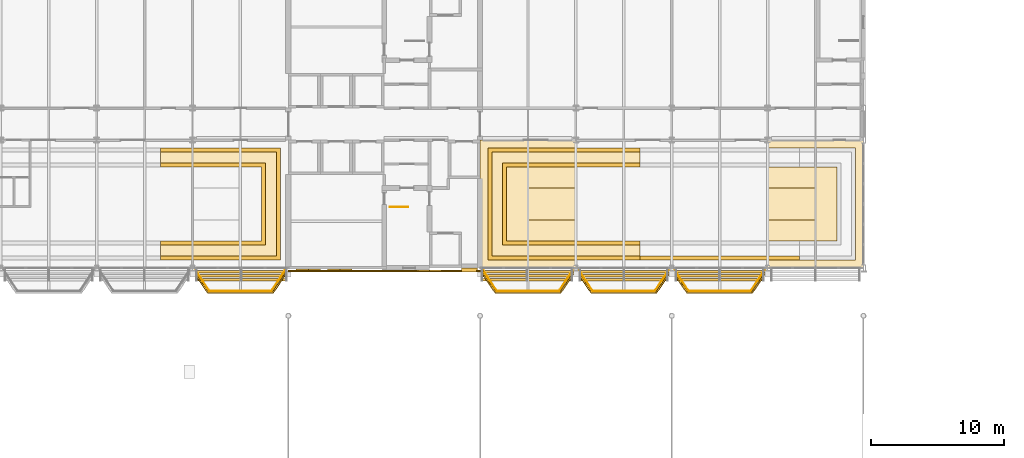
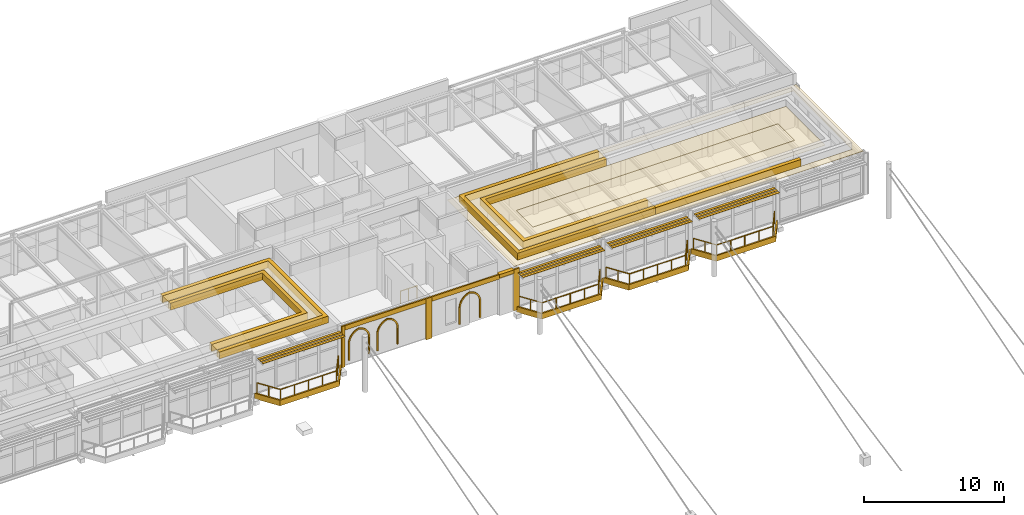
# One storey, part 63 of 68: 23 coverings, 12 shading devices, 5 railings.
"""IFC4 building model written with IfcOpenShell, lengths in metres."""

from ifc_helpers import new_model, si_unit, direction, frame, origin, origin_2d, place, context, subcontext, project, spatial, polyline, rectangle, circle, outline, extrude, material, layer, layer_set, type_object, element, save


model = new_model("IFC4")

# Units and contexts
model_context = context("Model", 3, precision=1e-05, world=origin(), true_north=direction((0.0, 1.0)))
body_context = subcontext(model_context, "Body", "Model", "MODEL_VIEW")
ifc_project = project(units=[si_unit("LENGTHUNIT", "METRE"), si_unit("AREAUNIT", "SQUARE_METRE"), si_unit("VOLUMEUNIT", "CUBIC_METRE"), si_unit("PLANEANGLEUNIT", "RADIAN"), si_unit("MASSUNIT", "GRAM", prefix="KILO")], contexts=[model_context])

# Site, building, storey
site_placement = place(None, origin())
site = spatial("IfcSite", under=ifc_project, at=site_placement, CompositionType="ELEMENT")
building_placement = place(site_placement, origin())
building = spatial("IfcBuilding", under=site, at=building_placement, Name="Kupolbacken Congress Centre", CompositionType="ELEMENT")
storey_placement = place(building_placement, frame((0.0, 0.0, 25.199951171875)))
storey = spatial("IfcBuildingStorey", under=building, at=storey_placement, Name="L07", CompositionType="ELEMENT", Elevation=25.199951171875)

# Coverings
ifc_material_1 = material(Name="Limestone cladding", Category="masonry")
ifc_layer_1 = layer(ifc_material_1, 0.1201171875)
ifc_layer_set_1 = layer_set([ifc_layer_1], Name="Limestone cladding")
covering_type_1 = type_object("IfcCoveringType", Name="CV1 limestone cladding band 120", PredefinedType="CLADDING", material=ifc_layer_set_1)
covering_1_placement = place(storey_placement, frame((0.0, 0.0, -0.199951171875)))
element("IfcCovering", 1, at=covering_1_placement, inside=storey, type_object=covering_type_1, Name="E/T/belt/L07/S/108", PredefinedType="CLADDING", context=body_context, shape_type="SweptSolid", body=[
    extrude(outline(polyline([(115.177490234375, 122.14990234375), (115.033203125, 122.14990234375), (114.0, 120.60009765625), (109.199951171875, 120.60009765625), (108.166748046875, 122.14990234375), (108.0224609375, 122.14990234375), (109.1357421875, 120.47998046875), (114.064208984375, 120.47998046875), (115.177490234375, 122.14990234375)])), origin(), (0.0, 0.0, 1.0), 0.47998046875),
])
covering_2_placement = place(storey_placement, frame((0.0, 0.0, -0.199951171875)))
element("IfcCovering", 2, at=covering_2_placement, inside=storey, type_object=covering_type_1, Name="E/T/belt/L07/S/115.2", PredefinedType="CLADDING", context=body_context, shape_type="SweptSolid", body=[
    extrude(outline(polyline([(122.377685546875, 122.14990234375), (122.2333984375, 122.14990234375), (121.199951171875, 120.60009765625), (116.39990234375, 120.60009765625), (115.36669921875, 122.14990234375), (115.222412109375, 122.14990234375), (116.335693359375, 120.47998046875), (121.26416015625, 120.47998046875), (122.377685546875, 122.14990234375)])), origin(), (0.0, 0.0, 1.0), 0.47998046875),
])
covering_3_placement = place(storey_placement, frame((0.0, 0.0, -0.199951171875)))
element("IfcCovering", 3, at=covering_3_placement, inside=storey, type_object=covering_type_1, Name="E/T/belt/L07/S/122.4", PredefinedType="CLADDING", context=body_context, shape_type="SweptSolid", body=[
    extrude(outline(polyline([(129.57763671875, 122.14990234375), (129.433349609375, 122.14990234375), (128.39990234375, 120.60009765625), (123.60009765625, 120.60009765625), (122.566650390625, 122.14990234375), (122.42236328125, 122.14990234375), (123.535888671875, 120.47998046875), (128.464111328125, 120.47998046875), (129.57763671875, 122.14990234375)])), origin(), (0.0, 0.0, 1.0), 0.47998046875),
])
covering_4_placement = place(storey_placement, frame((0.0, 0.0, -0.199951171875)))
element("IfcCovering", 4, at=covering_4_placement, inside=storey, type_object=covering_type_1, Name="E/T/belt/L07/S/86.4", PredefinedType="CLADDING", context=body_context, shape_type="SweptSolid", body=[
    extrude(outline(polyline([(93.57763671875, 122.14990234375), (93.433349609375, 122.14990234375), (92.39990234375, 120.60009765625), (87.60009765625, 120.60009765625), (86.566650390625, 122.14990234375), (86.42236328125, 122.14990234375), (87.535888671875, 120.47998046875), (92.464111328125, 120.47998046875), (93.57763671875, 122.14990234375)])), origin(), (0.0, 0.0, 1.0), 0.47998046875),
])
covering_5_placement = place(storey_placement, frame((107.199951171875, 122.2451171875, 3.2900390625), z_axis=(0.0, 0.0, 1.0), x_axis=(1.0, 0.0, 0.0)))
element("IfcCovering", 5, at=covering_5_placement, inside=storey, type_object=covering_type_1, Name="E/T/S/L07/116/band", PredefinedType="CLADDING", context=body_context, shape_type="SweptSolid", body=[
    extrude(rectangle(XDim=1.199951171875, YDim=0.31005859375, at=origin_2d()), origin(), (0.0, 0.0, 1.0), 0.31005859375),
])
ifc_material_2 = material(Name="Brick cladding", Category="masonry")
ifc_layer_2 = layer(ifc_material_2, 0.10791015625)
ifc_layer_set_2 = layer_set([ifc_layer_2], Name="Brick cladding")
covering_type_2 = type_object("IfcCoveringType", Name="CV2 brick cladding band 108", PredefinedType="CLADDING", material=ifc_layer_set_2)
covering_6_placement = place(storey_placement, frame((93.72509765625, 122.1650390625, 0.0), z_axis=(0.0, 0.0, 1.0), x_axis=(1.0, 0.0, 0.0)))
element("IfcCovering", 6, at=covering_6_placement, inside=storey, type_object=covering_type_2, Name="E/T/stripe/S/L07/pil93.6", PredefinedType="CLADDING", context=body_context, shape_type="SweptSolid", body=[
    extrude(rectangle(XDim=0.25, YDim=0.1201171875, at=origin_2d()), origin(), (0.0, 0.0, 1.0), 3.60009765625),
])
for number, where, z_axis, x_axis, name in (
    (7, (100.800048828125, 122.1650390625, 0.0), (0.0, 0.0, 1.0), (1.0, 0.0, 0.0), "E/T/stripe/S/L07/pil100.8"),
    (8, (108.0, 122.1650390625, 0.0), (0.0, 0.0, 1.0), (1.0, 0.0, 0.0), "E/T/stripe/S/L07/pil108"),
):
    element("IfcCovering", number, at=place(storey_placement, frame(where, z_axis=z_axis, x_axis=x_axis)), inside=storey, type_object=covering_type_2, Name=name, PredefinedType="CLADDING", context=body_context, shape_type="SweptSolid", body=[
        extrude(rectangle(XDim=0.5, YDim=0.1201171875, at=origin_2d()), origin(), (0.0, 0.0, 1.0), 3.60009765625),
    ])
covering_7_placement = place(storey_placement, frame((97.199951171875, 122.1650390625, 3.2001953125), z_axis=(0.0, 0.0, 1.0), x_axis=(1.0, 0.0, 0.0)))
element("IfcCovering", 9, at=covering_7_placement, inside=storey, type_object=covering_type_2, Name="E/T/stripe/S/L07/belt93.6", PredefinedType="CLADDING", context=body_context, shape_type="SweptSolid", body=[
    extrude(rectangle(XDim=6.699951171875, YDim=0.1201171875, at=origin_2d()), origin(), (0.0, 0.0, 1.0), 0.39990234375),
])
covering_8_placement = place(storey_placement, frame((94.199951171875, 122.300048828125, 0.35009765625), z_axis=(0.0, -1.0, 0.0), x_axis=(1.0, 0.0, 0.0)))
element("IfcCovering", 10, at=covering_8_placement, inside=storey, type_object=covering_type_2, Name="E/T/stripe/S/L07/niche93.6/1", PredefinedType="CLADDING", context=body_context, shape_type="SweptSolid", body=[
    extrude(outline(polyline([(0.0, 0.0), (0.0, 1.43408203125), (0.00537109375, 1.54443359375), (0.021484375, 1.654052734375), (0.048095703125, 1.761474609375), (0.084716796875, 1.86572265625), (0.131591796875, 1.966064453125), (0.187744140625, 2.061279296875), (0.2529296875, 2.15087890625), (0.32666015625, 2.2333984375), (0.40771484375, 2.30859375), (0.495849609375, 2.37548828125), (0.590087890625, 2.433837890625), (0.689453125, 2.482421875), (0.793212890625, 2.521240234375), (0.89990234375, 2.550048828125), (1.0068359375, 2.521240234375), (1.110595703125, 2.482421875), (1.2099609375, 2.433837890625), (1.30419921875, 2.37548828125), (1.39208984375, 2.30859375), (1.473388671875, 2.2333984375), (1.547119140625, 2.15087890625), (1.6123046875, 2.061279296875), (1.66845703125, 1.966064453125), (1.715087890625, 1.86572265625), (1.751953125, 1.761474609375), (1.778564453125, 1.654052734375), (1.794677734375, 1.54443359375), (1.800048828125, 1.43408203125), (1.800048828125, 0.0), (1.679931640625, 0.0), (1.679931640625, 1.43408203125), (1.67529296875, 1.531005859375), (1.66162109375, 1.627197265625), (1.638671875, 1.7216796875), (1.60693359375, 1.8134765625), (1.566650390625, 1.90185546875), (1.51806640625, 1.986083984375), (1.461669921875, 2.065185546875), (1.398193359375, 2.138916015625), (1.327880859375, 2.205810546875), (1.25146484375, 2.26611328125), (1.169677734375, 2.318603515625), (1.08349609375, 2.36328125), (0.9931640625, 2.3994140625), (0.89990234375, 2.427001953125), (0.806884765625, 2.3994140625), (0.716552734375, 2.36328125), (0.63037109375, 2.318603515625), (0.548583984375, 2.26611328125), (0.47216796875, 2.205810546875), (0.40185546875, 2.138916015625), (0.33837890625, 2.065185546875), (0.281982421875, 1.986083984375), (0.2333984375, 1.90185546875), (0.193115234375, 1.8134765625), (0.161376953125, 1.7216796875), (0.138427734375, 1.627197265625), (0.12451171875, 1.531005859375), (0.1201171875, 1.43408203125), (0.1201171875, 0.0), (0.0, 0.0)])), origin(), (0.0, 0.0, 1.0), 0.080078125),
])
covering_9_placement = place(storey_placement, frame((96.550048828125, 122.300048828125, 0.35009765625), z_axis=(0.0, -1.0, 0.0), x_axis=(1.0, 0.0, 0.0)))
element("IfcCovering", 11, at=covering_9_placement, inside=storey, type_object=covering_type_2, Name="E/T/stripe/S/L07/niche93.6/2", PredefinedType="CLADDING", context=body_context, shape_type="SweptSolid", body=[
    extrude(outline(polyline([(0.0, 0.0), (0.0, 1.43408203125), (0.00537109375, 1.54443359375), (0.021484375, 1.654052734375), (0.048095703125, 1.761474609375), (0.084716796875, 1.86572265625), (0.131591796875, 1.966064453125), (0.187744140625, 2.061279296875), (0.2529296875, 2.15087890625), (0.32666015625, 2.2333984375), (0.40771484375, 2.30859375), (0.495849609375, 2.37548828125), (0.590087890625, 2.433837890625), (0.689453125, 2.482421875), (0.793212890625, 2.521240234375), (0.89990234375, 2.550048828125), (1.0068359375, 2.521240234375), (1.110595703125, 2.482421875), (1.2099609375, 2.433837890625), (1.30419921875, 2.37548828125), (1.39208984375, 2.30859375), (1.473388671875, 2.2333984375), (1.547119140625, 2.15087890625), (1.6123046875, 2.061279296875), (1.66845703125, 1.966064453125), (1.715087890625, 1.86572265625), (1.751953125, 1.761474609375), (1.778564453125, 1.654052734375), (1.794677734375, 1.54443359375), (1.800048828125, 1.43408203125), (1.800048828125, 0.0), (1.679931640625, 0.0), (1.679931640625, 1.43408203125), (1.67529296875, 1.531005859375), (1.66162109375, 1.627197265625), (1.638671875, 1.7216796875), (1.60693359375, 1.8134765625), (1.566650390625, 1.90185546875), (1.51806640625, 1.986083984375), (1.461669921875, 2.065185546875), (1.398193359375, 2.138916015625), (1.327880859375, 2.205810546875), (1.25146484375, 2.26611328125), (1.169677734375, 2.318603515625), (1.08349609375, 2.36328125), (0.9931640625, 2.3994140625), (0.89990234375, 2.427001953125), (0.806884765625, 2.3994140625), (0.716552734375, 2.36328125), (0.63037109375, 2.318603515625), (0.548583984375, 2.26611328125), (0.47216796875, 2.205810546875), (0.40185546875, 2.138916015625), (0.33837890625, 2.065185546875), (0.281982421875, 1.986083984375), (0.2333984375, 1.90185546875), (0.193115234375, 1.8134765625), (0.161376953125, 1.7216796875), (0.138427734375, 1.627197265625), (0.12451171875, 1.531005859375), (0.1201171875, 1.43408203125), (0.1201171875, 0.0), (0.0, 0.0)])), origin(), (0.0, 0.0, 1.0), 0.080078125),
])
covering_10_placement = place(storey_placement, frame((104.39990234375, 122.1650390625, 3.2001953125), z_axis=(0.0, 0.0, 1.0), x_axis=(1.0, 0.0, 0.0)))
element("IfcCovering", 12, at=covering_10_placement, inside=storey, type_object=covering_type_2, Name="E/T/stripe/S/L07/belt100.8", PredefinedType="CLADDING", context=body_context, shape_type="SweptSolid", body=[
    extrude(rectangle(XDim=6.699951171875, YDim=0.1201171875, at=origin_2d()), origin(), (0.0, 0.0, 1.0), 0.39990234375),
])
covering_11_placement = place(storey_placement, frame((103.300048828125, 122.22509765625, 0.35009765625), z_axis=(0.0, -1.0, 0.0), x_axis=(1.0, 0.0, 0.0)))
element("IfcCovering", 13, at=covering_11_placement, inside=storey, type_object=covering_type_2, Name="E/T/stripe/S/L07/niche100.8/1", PredefinedType="CLADDING", context=body_context, shape_type="SweptSolid", body=[
    extrude(outline(polyline([(0.0, 0.0), (0.0, 1.43408203125), (0.00537109375, 1.54443359375), (0.021484375, 1.654052734375), (0.048095703125, 1.761474609375), (0.084716796875, 1.86572265625), (0.131591796875, 1.966064453125), (0.187744140625, 2.061279296875), (0.2529296875, 2.15087890625), (0.32666015625, 2.2333984375), (0.40771484375, 2.30859375), (0.495849609375, 2.37548828125), (0.590087890625, 2.433837890625), (0.689453125, 2.482421875), (0.793212890625, 2.521240234375), (0.89990234375, 2.550048828125), (1.0068359375, 2.521240234375), (1.110595703125, 2.482421875), (1.2099609375, 2.433837890625), (1.30419921875, 2.37548828125), (1.39208984375, 2.30859375), (1.473388671875, 2.2333984375), (1.547119140625, 2.15087890625), (1.6123046875, 2.061279296875), (1.66845703125, 1.966064453125), (1.715087890625, 1.86572265625), (1.751953125, 1.761474609375), (1.778564453125, 1.654052734375), (1.794677734375, 1.54443359375), (1.800048828125, 1.43408203125), (1.800048828125, 0.0), (1.679931640625, 0.0), (1.679931640625, 1.43408203125), (1.67529296875, 1.531005859375), (1.66162109375, 1.627197265625), (1.638671875, 1.7216796875), (1.60693359375, 1.8134765625), (1.566650390625, 1.90185546875), (1.51806640625, 1.986083984375), (1.461669921875, 2.065185546875), (1.398193359375, 2.138916015625), (1.327880859375, 2.205810546875), (1.25146484375, 2.26611328125), (1.169677734375, 2.318603515625), (1.08349609375, 2.36328125), (0.9931640625, 2.3994140625), (0.89990234375, 2.427001953125), (0.806884765625, 2.3994140625), (0.716552734375, 2.36328125), (0.63037109375, 2.318603515625), (0.548583984375, 2.26611328125), (0.47216796875, 2.205810546875), (0.40185546875, 2.138916015625), (0.33837890625, 2.065185546875), (0.281982421875, 1.986083984375), (0.2333984375, 1.90185546875), (0.193115234375, 1.8134765625), (0.161376953125, 1.7216796875), (0.138427734375, 1.627197265625), (0.12451171875, 1.531005859375), (0.1201171875, 1.43408203125), (0.1201171875, 0.0), (0.0, 0.0)])), origin(), (0.0, 0.0, 1.0), 0.080078125),
])
ifc_material_3 = material(Name="Limestone cladding", Category="masonry")
ifc_layer_3 = layer(ifc_material_3, 0.60009765625)
ifc_layer_set_3 = layer_set([ifc_layer_3], Name="Limestone cladding")
covering_type_3 = type_object("IfcCoveringType", Name="CV5 limestone arcade pier 600", PredefinedType="CLADDING", material=ifc_layer_set_3)
covering_12_placement = place(storey_placement, frame((0.0, 0.0, 3.60009765625)))
element("IfcCovering", 14, at=covering_12_placement, inside=storey, type_object=covering_type_3, Name="Bed kerb, roof garden", PredefinedType="CLADDING", context=body_context, shape_type="SweptSolid", body=[
    extrude(outline(polyline([(108.6025390625, 131.3974609375), (120.0, 131.3974609375), (120.0, 131.097412109375), (108.902587890625, 131.097412109375), (108.902587890625, 123.302490234375), (120.0, 123.302490234375), (120.0, 123.00244140625), (108.6025390625, 123.00244140625), (108.6025390625, 131.3974609375)])), origin(), (0.0, 0.0, 1.0), 0.599853515625),
])
covering_13_placement = place(storey_placement, frame((0.0, 0.0, 3.60009765625)))
element("IfcCovering", 15, at=covering_13_placement, inside=storey, type_object=covering_type_3, Name="Bed kerb, roof garden", PredefinedType="CLADDING", context=body_context, shape_type="SweptSolid", body=[
    extrude(outline(polyline([(120.0, 123.00244140625), (120.0, 123.302490234375), (132.0, 123.302490234375), (132.0, 123.00244140625), (120.0, 123.00244140625)])), origin(), (0.0, 0.0, 1.0), 0.599853515625),
])
covering_14_placement = place(storey_placement, frame((0.0, 0.0, 3.60009765625)))
element("IfcCovering", 16, at=covering_14_placement, inside=storey, type_object=covering_type_3, Name="Bed kerb, roof garden", PredefinedType="CLADDING", context=body_context, shape_type="SweptSolid", body=[
    extrude(outline(polyline([(109.702392578125, 130.297607421875), (120.0, 130.297607421875), (120.0, 129.99755859375), (110.00244140625, 129.99755859375), (110.00244140625, 124.402587890625), (120.0, 124.402587890625), (120.0, 124.1025390625), (109.702392578125, 124.1025390625), (109.702392578125, 130.297607421875)])), origin(), (0.0, 0.0, 1.0), 0.599853515625),
])
covering_15_placement = place(storey_placement, frame((0.0, 0.0, 3.60009765625)))
element("IfcCovering", 17, at=covering_15_placement, inside=storey, type_object=covering_type_3, Name="Bed kerb, roof garden", PredefinedType="CLADDING", context=body_context, shape_type="SweptSolid", body=[
    extrude(outline(polyline([(92.99755859375, 123.00244140625), (84.0, 123.00244140625), (84.0, 123.302490234375), (92.697509765625, 123.302490234375), (92.697509765625, 131.097412109375), (84.0, 131.097412109375), (84.0, 131.3974609375), (92.99755859375, 131.3974609375), (92.99755859375, 123.00244140625)])), origin(), (0.0, 0.0, 1.0), 0.599853515625),
])
covering_16_placement = place(storey_placement, frame((0.0, 0.0, 3.60009765625)))
element("IfcCovering", 18, at=covering_16_placement, inside=storey, type_object=covering_type_3, Name="Bed kerb, roof garden", PredefinedType="CLADDING", context=body_context, shape_type="SweptSolid", body=[
    extrude(outline(polyline([(91.8974609375, 124.1025390625), (84.0, 124.1025390625), (84.0, 124.402587890625), (91.597412109375, 124.402587890625), (91.597412109375, 129.99755859375), (84.0, 129.99755859375), (84.0, 130.297607421875), (91.8974609375, 130.297607421875), (91.8974609375, 124.1025390625)])), origin(), (0.0, 0.0, 1.0), 0.599853515625),
])
ifc_material_4 = material(Name="Limestone cladding", Category="masonry")
ifc_layer_4 = layer(ifc_material_4, 0.02001953125)
ifc_layer_set_4 = layer_set([ifc_layer_4], Name="Limestone cladding")
covering_type_4 = type_object("IfcCoveringType", Name="GF1 limestone paving 20", PredefinedType="FLOORING", material=ifc_layer_set_4)
covering_17_placement = place(storey_placement, frame((0.0, 0.0, 3.60009765625)))
element("IfcCovering", 19, at=covering_17_placement, inside=storey, type_object=covering_type_4, Name="Roof walk, roof garden", PredefinedType="FLOORING", context=body_context, shape_type="SweptSolid", body=[
    extrude(outline(polyline([(129.6298828125, 122.429931640625), (108.00244140625, 122.429931640625), (108.00244140625, 131.99755859375), (136.797607421875, 131.99755859375), (136.797607421875, 122.402587890625), (129.6298828125, 122.402587890625), (129.6298828125, 122.429931640625)]), holes=[polyline([(108.6025390625, 131.3974609375), (108.6025390625, 123.00244140625), (136.197509765625, 123.00244140625), (136.197509765625, 131.3974609375), (108.6025390625, 131.3974609375)])]), origin(), (0.0, 0.0, 1.0), 0.02001953125),
])
covering_18_placement = place(storey_placement, frame((0.0, 0.0, 3.60009765625)))
element("IfcCovering", 20, at=covering_18_placement, inside=storey, type_object=covering_type_4, Name="Roof walk, roof garden", PredefinedType="FLOORING", context=body_context, shape_type="SweptSolid", body=[
    extrude(outline(polyline([(111.6025390625, 128.3974609375), (133.197509765625, 128.3974609375), (133.197509765625, 126.00244140625), (111.6025390625, 126.00244140625), (111.6025390625, 128.3974609375)])), origin(), (0.0, 0.0, 1.0), 0.02001953125),
])
ifc_material_5 = material(Name="Brick", Category="masonry")
ifc_layer_5 = layer(ifc_material_5, 0.02001953125)
ifc_layer_set_5 = layer_set([ifc_layer_5], Name="Brick")
covering_type_5 = type_object("IfcCoveringType", Name="GF2 brick paving 20", PredefinedType="FLOORING", material=ifc_layer_set_5)
covering_19_placement = place(storey_placement, frame((0.0, 0.0, 3.60009765625)))
element("IfcCovering", 21, at=covering_19_placement, inside=storey, type_object=covering_type_5, Name="Roof walk border, roof garden", PredefinedType="FLOORING", context=body_context, shape_type="SweptSolid", body=[
    extrude(outline(polyline([(110.00244140625, 124.402587890625), (110.00244140625, 129.99755859375), (134.797607421875, 129.99755859375), (134.797607421875, 124.402587890625), (110.00244140625, 124.402587890625)]), holes=[polyline([(133.197509765625, 128.3974609375), (111.6025390625, 128.3974609375), (111.6025390625, 126.00244140625), (133.197509765625, 126.00244140625), (133.197509765625, 128.3974609375)])]), origin(), (0.0, 0.0, 1.0), 0.02001953125),
])
ifc_material_6 = material(Name="Planting substrate", Category="soil")
ifc_layer_6 = layer(ifc_material_6, 0.60009765625)
ifc_layer_set_6 = layer_set([ifc_layer_6], Name="Planting substrate")
covering_type_6 = type_object("IfcCoveringType", Name="GR8 planting substrate 600", PredefinedType="FLOORING", material=ifc_layer_set_6)
covering_20_placement = place(storey_placement, frame((0.0, 0.0, 3.60009765625)))
element("IfcCovering", 22, at=covering_20_placement, inside=storey, type_object=covering_type_6, Name="Planting bed, roof garden", PredefinedType="FLOORING", context=body_context, shape_type="SweptSolid", body=[
    extrude(outline(polyline([(108.902587890625, 123.302490234375), (108.902587890625, 131.097412109375), (120.0, 131.097412109375), (120.0, 130.297607421875), (109.702392578125, 130.297607421875), (109.702392578125, 124.1025390625), (120.0, 124.1025390625), (120.0, 123.302490234375), (108.902587890625, 123.302490234375)])), origin(), (0.0, 0.0, 1.0), 0.599853515625),
])
covering_21_placement = place(storey_placement, frame((0.0, 0.0, 3.60009765625)))
element("IfcCovering", 23, at=covering_21_placement, inside=storey, type_object=covering_type_6, Name="Planting bed, roof garden", PredefinedType="FLOORING", context=body_context, shape_type="SweptSolid", body=[
    extrude(outline(polyline([(92.697509765625, 131.097412109375), (92.697509765625, 123.302490234375), (84.0, 123.302490234375), (84.0, 124.1025390625), (91.8974609375, 124.1025390625), (91.8974609375, 130.297607421875), (84.0, 130.297607421875), (84.0, 131.097412109375), (92.697509765625, 131.097412109375)])), origin(), (0.0, 0.0, 1.0), 0.599853515625),
])

# Railings
ifc_material_7 = material(Name="Steel S235", Category="steel")
railing_type = type_object("IfcRailingType", Name="RL1 guard 1100 steel balustrade", PredefinedType="GUARDRAIL", material=ifc_material_7)
railing_1_placement = place(storey_placement, frame((108.25341796875, 122.199951171875, 0.0)))
element("IfcRailing", 24, at=railing_1_placement, inside=storey, type_object=railing_type, Name="E/T/guard/LEDGE-L07-S108", PredefinedType="GUARDRAIL", context=body_context, shape_type="SweptSolid", body=[
    extrude(circle(Radius=0.02392578125, at=origin_2d()), frame((0.0, 0.0, 1.076171875), z_axis=(0.554760897331, -0.832009823736, 0.0), x_axis=(0.832009823736, 0.554760897331, 0.0)), (0.0, 0.0, 1.0), 1.856201171875),
    extrude(circle(Radius=0.02392578125, at=origin_2d()), frame((1.02978515625, -1.54443359375, 1.076171875), z_axis=(1.0, 0.0, 0.0), x_axis=(0.0, 1.0, 0.0)), (0.0, 0.0, 1.0), 4.633544921875),
    extrude(circle(Radius=0.02392578125, at=origin_2d()), frame((5.663330078125, -1.54443359375, 1.076171875), z_axis=(0.554760897331, 0.832009823736, 0.0), x_axis=(-0.832009823736, 0.554760897331, 0.0)), (0.0, 0.0, 1.0), 1.856201171875),
    extrude(circle(Radius=0.02099609375, at=origin_2d()), origin(), (0.0, 0.0, 1.0), 1.052001953125),
    extrude(circle(Radius=0.02099609375, at=origin_2d()), frame((0.514892578125, -0.772216796875, 0.0)), (0.0, 0.0, 1.0), 1.052001953125),
    extrude(circle(Radius=0.02099609375, at=origin_2d()), frame((1.02978515625, -1.54443359375, 0.0)), (0.0, 0.0, 1.0), 1.052001953125),
    extrude(circle(Radius=0.02099609375, at=origin_2d()), frame((2.188232421875, -1.54443359375, 0.0)), (0.0, 0.0, 1.0), 1.052001953125),
    extrude(circle(Radius=0.02099609375, at=origin_2d()), frame((3.3466796875, -1.54443359375, 0.0)), (0.0, 0.0, 1.0), 1.052001953125),
    extrude(circle(Radius=0.02099609375, at=origin_2d()), frame((4.5048828125, -1.54443359375, 0.0)), (0.0, 0.0, 1.0), 1.052001953125),
    extrude(circle(Radius=0.02099609375, at=origin_2d()), frame((5.663330078125, -1.54443359375, 0.0)), (0.0, 0.0, 1.0), 1.052001953125),
    extrude(circle(Radius=0.02099609375, at=origin_2d()), frame((6.17822265625, -0.772216796875, 0.0)), (0.0, 0.0, 1.0), 1.052001953125),
    extrude(circle(Radius=0.02099609375, at=origin_2d()), frame((6.693115234375, 0.0, 0.0)), (0.0, 0.0, 1.0), 1.052001953125),
])
railing_2_placement = place(storey_placement, frame((115.45361328125, 122.199951171875, 0.0)))
element("IfcRailing", 25, at=railing_2_placement, inside=storey, type_object=railing_type, Name="E/T/guard/LEDGE-L07-S115.2", PredefinedType="GUARDRAIL", context=body_context, shape_type="SweptSolid", body=[
    extrude(circle(Radius=0.02392578125, at=origin_2d()), frame((0.0, 0.0, 1.076171875), z_axis=(0.554669842351, -0.832070529455, 0.0), x_axis=(0.832070529455, 0.554669842351, 0.0)), (0.0, 0.0, 1.0), 1.856201171875),
    extrude(circle(Radius=0.02392578125, at=origin_2d()), frame((1.029541015625, -1.54443359375, 1.076171875), z_axis=(1.0, 0.0, 0.0), x_axis=(0.0, 1.0, 0.0)), (0.0, 0.0, 1.0), 4.633544921875),
    extrude(circle(Radius=0.02392578125, at=origin_2d()), frame((5.6630859375, -1.54443359375, 1.076171875), z_axis=(0.554760897331, 0.832009823736, 0.0), x_axis=(-0.832009823736, 0.554760897331, 0.0)), (0.0, 0.0, 1.0), 1.856201171875),
    extrude(circle(Radius=0.02099609375, at=origin_2d()), origin(), (0.0, 0.0, 1.0), 1.052001953125),
    extrude(circle(Radius=0.02099609375, at=origin_2d()), frame((0.5146484375, -0.772216796875, 0.0)), (0.0, 0.0, 1.0), 1.052001953125),
    extrude(circle(Radius=0.02099609375, at=origin_2d()), frame((1.029541015625, -1.54443359375, 0.0)), (0.0, 0.0, 1.0), 1.052001953125),
    extrude(circle(Radius=0.02099609375, at=origin_2d()), frame((2.18798828125, -1.54443359375, 0.0)), (0.0, 0.0, 1.0), 1.052001953125),
    extrude(circle(Radius=0.02099609375, at=origin_2d()), frame((3.34619140625, -1.54443359375, 0.0)), (0.0, 0.0, 1.0), 1.052001953125),
    extrude(circle(Radius=0.02099609375, at=origin_2d()), frame((4.504638671875, -1.54443359375, 0.0)), (0.0, 0.0, 1.0), 1.052001953125),
    extrude(circle(Radius=0.02099609375, at=origin_2d()), frame((5.6630859375, -1.54443359375, 0.0)), (0.0, 0.0, 1.0), 1.052001953125),
    extrude(circle(Radius=0.02099609375, at=origin_2d()), frame((6.177978515625, -0.772216796875, 0.0)), (0.0, 0.0, 1.0), 1.052001953125),
    extrude(circle(Radius=0.02099609375, at=origin_2d()), frame((6.69287109375, 0.0, 0.0)), (0.0, 0.0, 1.0), 1.052001953125),
])
railing_3_placement = place(storey_placement, frame((122.653564453125, 122.199951171875, 0.0)))
element("IfcRailing", 26, at=railing_3_placement, inside=storey, type_object=railing_type, Name="E/T/guard/LEDGE-L07-S122.4", PredefinedType="GUARDRAIL", context=body_context, shape_type="SweptSolid", body=[
    extrude(circle(Radius=0.02392578125, at=origin_2d()), frame((0.0, 0.0, 1.076171875), z_axis=(0.554669842351, -0.832070529455, 0.0), x_axis=(0.832070529455, 0.554669842351, 0.0)), (0.0, 0.0, 1.0), 1.856201171875),
    extrude(circle(Radius=0.02392578125, at=origin_2d()), frame((1.029541015625, -1.54443359375, 1.076171875), z_axis=(1.0, 0.0, 0.0), x_axis=(0.0, 1.0, 0.0)), (0.0, 0.0, 1.0), 4.6337890625),
    extrude(circle(Radius=0.02392578125, at=origin_2d()), frame((5.663330078125, -1.54443359375, 1.076171875), z_axis=(0.554669842351, 0.832070529455, 0.0), x_axis=(-0.832070529455, 0.554669842351, 0.0)), (0.0, 0.0, 1.0), 1.856201171875),
    extrude(circle(Radius=0.02099609375, at=origin_2d()), origin(), (0.0, 0.0, 1.0), 1.052001953125),
    extrude(circle(Radius=0.02099609375, at=origin_2d()), frame((0.5146484375, -0.772216796875, 0.0)), (0.0, 0.0, 1.0), 1.052001953125),
    extrude(circle(Radius=0.02099609375, at=origin_2d()), frame((1.029541015625, -1.54443359375, 0.0)), (0.0, 0.0, 1.0), 1.052001953125),
    extrude(circle(Radius=0.02099609375, at=origin_2d()), frame((2.18798828125, -1.54443359375, 0.0)), (0.0, 0.0, 1.0), 1.052001953125),
    extrude(circle(Radius=0.02099609375, at=origin_2d()), frame((3.346435546875, -1.54443359375, 0.0)), (0.0, 0.0, 1.0), 1.052001953125),
    extrude(circle(Radius=0.02099609375, at=origin_2d()), frame((4.5048828125, -1.54443359375, 0.0)), (0.0, 0.0, 1.0), 1.052001953125),
    extrude(circle(Radius=0.02099609375, at=origin_2d()), frame((5.663330078125, -1.54443359375, 0.0)), (0.0, 0.0, 1.0), 1.052001953125),
    extrude(circle(Radius=0.02099609375, at=origin_2d()), frame((6.17822265625, -0.772216796875, 0.0)), (0.0, 0.0, 1.0), 1.052001953125),
    extrude(circle(Radius=0.02099609375, at=origin_2d()), frame((6.69287109375, 0.0, 0.0)), (0.0, 0.0, 1.0), 1.052001953125),
])
railing_4_placement = place(storey_placement, frame((86.653564453125, 122.199951171875, 0.0)))
element("IfcRailing", 27, at=railing_4_placement, inside=storey, type_object=railing_type, Name="E/T/guard/LEDGE-L07-S86.4", PredefinedType="GUARDRAIL", context=body_context, shape_type="SweptSolid", body=[
    extrude(circle(Radius=0.02392578125, at=origin_2d()), frame((0.0, 0.0, 1.076171875), z_axis=(0.554669842351, -0.832070529455, 0.0), x_axis=(0.832070529455, 0.554669842351, 0.0)), (0.0, 0.0, 1.0), 1.856201171875),
    extrude(circle(Radius=0.02392578125, at=origin_2d()), frame((1.029541015625, -1.54443359375, 1.076171875), z_axis=(1.0, 0.0, 0.0), x_axis=(0.0, 1.0, 0.0)), (0.0, 0.0, 1.0), 4.6337890625),
    extrude(circle(Radius=0.02392578125, at=origin_2d()), frame((5.663330078125, -1.54443359375, 1.076171875), z_axis=(0.554669842351, 0.832070529455, 0.0), x_axis=(-0.832070529455, 0.554669842351, 0.0)), (0.0, 0.0, 1.0), 1.856201171875),
    extrude(circle(Radius=0.02099609375, at=origin_2d()), origin(), (0.0, 0.0, 1.0), 1.052001953125),
    extrude(circle(Radius=0.02099609375, at=origin_2d()), frame((0.5146484375, -0.772216796875, 0.0)), (0.0, 0.0, 1.0), 1.052001953125),
    extrude(circle(Radius=0.02099609375, at=origin_2d()), frame((1.029541015625, -1.54443359375, 0.0)), (0.0, 0.0, 1.0), 1.052001953125),
    extrude(circle(Radius=0.02099609375, at=origin_2d()), frame((2.18798828125, -1.54443359375, 0.0)), (0.0, 0.0, 1.0), 1.052001953125),
    extrude(circle(Radius=0.02099609375, at=origin_2d()), frame((3.346435546875, -1.54443359375, 0.0)), (0.0, 0.0, 1.0), 1.052001953125),
    extrude(circle(Radius=0.02099609375, at=origin_2d()), frame((4.5048828125, -1.54443359375, 0.0)), (0.0, 0.0, 1.0), 1.052001953125),
    extrude(circle(Radius=0.02099609375, at=origin_2d()), frame((5.663330078125, -1.54443359375, 0.0)), (0.0, 0.0, 1.0), 1.052001953125),
    extrude(circle(Radius=0.02099609375, at=origin_2d()), frame((6.17822265625, -0.772216796875, 0.0)), (0.0, 0.0, 1.0), 1.052001953125),
    extrude(circle(Radius=0.02099609375, at=origin_2d()), frame((6.69287109375, 0.0, 0.0)), (0.0, 0.0, 1.0), 1.052001953125),
])
railing_5_placement = place(storey_placement, frame((101.22509765625, 126.965087890625, 0.0)))
element("IfcRailing", 28, at=railing_5_placement, inside=storey, type_object=railing_type, Name="C/guard/TS1/L07", PredefinedType="GUARDRAIL", context=body_context, shape_type="SweptSolid", body=[
    extrude(circle(Radius=0.02392578125, at=origin_2d()), frame((0.0, 0.0, 1.076171875), z_axis=(1.0, 0.0, 0.0), x_axis=(0.0, 1.0, 0.0)), (0.0, 0.0, 1.0), 1.375),
    extrude(circle(Radius=0.02099609375, at=origin_2d()), origin(), (0.0, 0.0, 1.0), 1.052001953125),
    extrude(circle(Radius=0.02099609375, at=origin_2d()), frame((0.6875, 0.0, 0.0)), (0.0, 0.0, 1.0), 1.052001953125),
    extrude(circle(Radius=0.02099609375, at=origin_2d()), frame((1.375, 0.0, 0.0)), (0.0, 0.0, 1.0), 1.052001953125),
])

# Shading devices
ifc_material_8 = material(Name="Aluminium alloy louvre", Category="aluminium")
ifc_layer_7 = layer(ifc_material_8, 0.030029296875)
ifc_layer_set_7 = layer_set([ifc_layer_7], Name="Aluminium alloy louvre")
shading_device_type = type_object("IfcShadingDeviceType", Name="SC1 louvre blade 30 x 200", PredefinedType="JALOUSIE", material=ifc_layer_set_7)
for number, where, z_axis, x_axis, name in (
    (29, (90.07666015625, 122.10009765625, 3.18994140625), (0.0, 0.0, 1.0), (1.0, 0.0, 0.0), "Brise-soleil blade"),
    (30, (90.07666015625, 121.800048828125, 3.18994140625), (0.0, 0.0, 1.0), (1.0, 0.0, 0.0), "Brise-soleil blade"),
    (31, (90.07666015625, 121.5, 3.18994140625), (0.0, 0.0, 1.0), (1.0, 0.0, 0.0), "Brise-soleil blade"),
    (32, (111.523193359375, 122.10009765625, 3.18994140625), (0.0, 0.0, 1.0), (1.0, 0.0, 0.0), "Brise-soleil blade"),
    (33, (111.523193359375, 121.800048828125, 3.18994140625), (0.0, 0.0, 1.0), (1.0, 0.0, 0.0), "Brise-soleil blade"),
    (34, (111.523193359375, 121.5, 3.18994140625), (0.0, 0.0, 1.0), (1.0, 0.0, 0.0), "Brise-soleil blade"),
):
    element("IfcShadingDevice", number, at=place(storey_placement, frame(where, z_axis=z_axis, x_axis=x_axis)), inside=storey, type_object=shading_device_type, Name=name, PredefinedType="JALOUSIE", context=body_context, shape_type="SweptSolid", body=[
        extrude(rectangle(XDim=6.78662109375, YDim=0.199951171875, at=origin_2d()), origin(), (0.0, 0.0, 1.0), 0.030029296875),
    ])
for number, where, z_axis, x_axis, name in (
    (35, (118.800048828125, 122.10009765625, 3.18994140625), (0.0, 0.0, 1.0), (1.0, 0.0, 0.0), "Brise-soleil blade"),
    (36, (118.800048828125, 121.800048828125, 3.18994140625), (0.0, 0.0, 1.0), (1.0, 0.0, 0.0), "Brise-soleil blade"),
    (37, (118.800048828125, 121.5, 3.18994140625), (0.0, 0.0, 1.0), (1.0, 0.0, 0.0), "Brise-soleil blade"),
    (38, (126.0, 122.10009765625, 3.18994140625), (0.0, 0.0, 1.0), (1.0, 0.0, 0.0), "Brise-soleil blade"),
    (39, (126.0, 121.800048828125, 3.18994140625), (0.0, 0.0, 1.0), (1.0, 0.0, 0.0), "Brise-soleil blade"),
    (40, (126.0, 121.5, 3.18994140625), (0.0, 0.0, 1.0), (1.0, 0.0, 0.0), "Brise-soleil blade"),
):
    element("IfcShadingDevice", number, at=place(storey_placement, frame(where, z_axis=z_axis, x_axis=x_axis)), inside=storey, type_object=shading_device_type, Name=name, PredefinedType="JALOUSIE", context=body_context, shape_type="SweptSolid", body=[
        extrude(rectangle(XDim=6.633056640625, YDim=0.199951171875, at=origin_2d()), origin(), (0.0, 0.0, 1.0), 0.030029296875),
    ])

save(model, "model.ifc")
